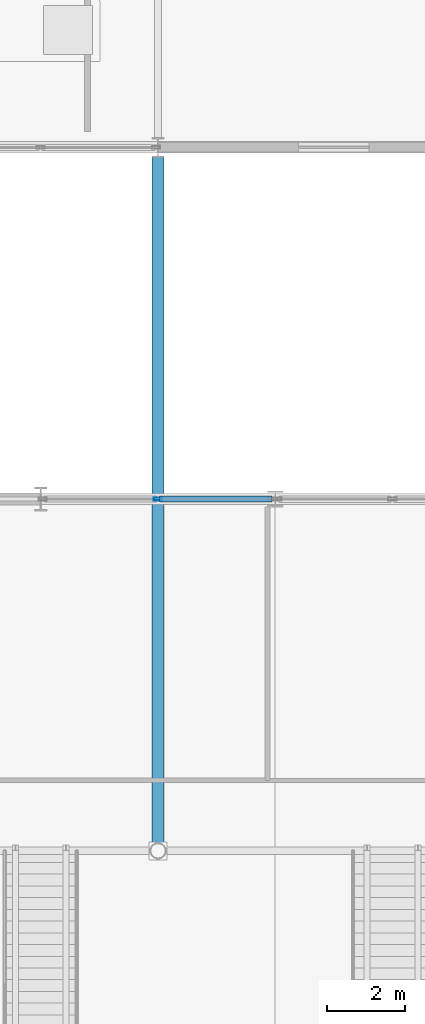
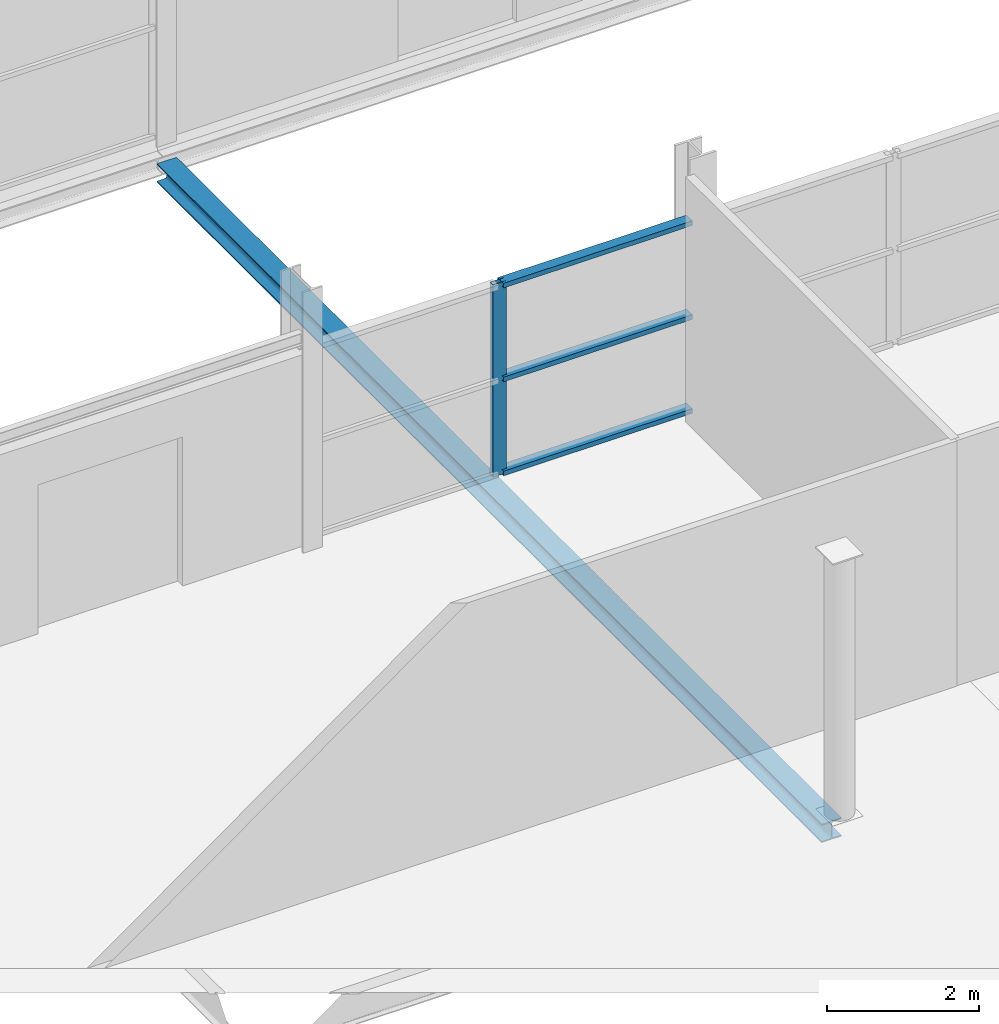
# One storey, part 43 of 140: 4 members, 1 beam, 1 element without a shape of its own.
"""IFC4 building model written with IfcOpenShell, lengths in metres."""

from ifc_helpers import new_model, si_unit, direction, frame, origin, origin_2d, place, context, subcontext, project, spatial, hollow_rectangle, i_section, extrude, material, layer, layer_set, material_profile, profile_set, type_object, element, aggregate, save


model = new_model("IFC4")

# Units and contexts
model_context = context("Model", 3, precision=1e-05, world=origin(), true_north=direction((0.0, 1.0)))
body_context = subcontext(model_context, "Body", "Model", "MODEL_VIEW")
ifc_project = project(units=[si_unit("LENGTHUNIT", "METRE"), si_unit("AREAUNIT", "SQUARE_METRE"), si_unit("VOLUMEUNIT", "CUBIC_METRE"), si_unit("PLANEANGLEUNIT", "RADIAN"), si_unit("MASSUNIT", "GRAM", prefix="KILO")], contexts=[model_context])

# Site, building, storey
site_placement = place(None, origin())
site = spatial("IfcSite", under=ifc_project, at=site_placement, CompositionType="ELEMENT")
building_placement = place(site_placement, origin())
building = spatial("IfcBuilding", under=site, at=building_placement, Name="Deido Ridge Mobility Hub", CompositionType="ELEMENT")
storey_placement = place(building_placement, origin())
storey = spatial("IfcBuildingStorey", under=building, at=storey_placement, Name="L00", CompositionType="ELEMENT", Elevation=0.0)

# Curtain wall, members
ifc_material_1 = material(Name="Anodised aluminium EN AW-6063 T6", Category="aluminium")
ifc_layer = layer(ifc_material_1, 0.132080078125, Name="Anodised aluminium EN AW-6063 T6")
ifc_layer_set = layer_set([ifc_layer], Name="Anodised aluminium EN AW-6063 T6")
curtain_wall_type = type_object("IfcCurtainWallType", Name="CW-GS-1", PredefinedType="USERDEFINED", material=ifc_layer_set)
curtain_wall_placement = place(storey_placement, origin())
curtain_wall = element("IfcCurtainWall", 1, at=curtain_wall_placement, inside=storey, type_object=curtain_wall_type, Name="Unitised curtain wall GS1", ObjectType="GLAZED SCREEN", PredefinedType="USERDEFINED")
ifc_material_profile_1 = material_profile(ifc_material_1, hollow_rectangle(XDim=0.074951171875, YDim=0.205078125, WallThickness=0.00390625, at=origin_2d()), Name="RHS 75x205x4")
ifc_profile_set_1 = profile_set([ifc_material_profile_1], Name="Anodised aluminium EN AW-6063 T6")
member_type_1 = type_object("IfcMemberType", Name="MEM-MUL-75X205", PredefinedType="MULLION", material=ifc_profile_set_1)
member_1_placement = place(storey_placement, frame((26.997802734375, 36.0, 0.0), z_axis=(0.0, 0.0, 1.0), x_axis=(0.0, 1.0, 0.0)))
member_1 = element("IfcMember", 2, at=member_1_placement, type_object=member_type_1, Name="GS1 mullion 2", PredefinedType="MULLION", context=body_context, shape_type="SweptSolid", body=[
    extrude(hollow_rectangle(XDim=0.074951171875, YDim=0.205078125, WallThickness=0.00390625, at=origin_2d()), origin(), (0.0, 0.0, 1.0), 3.10009765625),
])
ifc_material_profile_2 = material_profile(ifc_material_1, hollow_rectangle(XDim=0.155029296875, YDim=0.074951171875, WallThickness=0.00390625, at=origin_2d()), Name="RHS 155x75x4")
ifc_profile_set_2 = profile_set([ifc_material_profile_2], Name="Anodised aluminium EN AW-6063 T6")
member_type_2 = type_object("IfcMemberType", Name="MEM-TRN-155X75", PredefinedType="USERDEFINED", material=ifc_profile_set_2)
member_2_placement = place(storey_placement, frame((27.035400390625, 36.0, 0.03759765625), z_axis=(1.0, 0.0, 0.0), x_axis=(0.0, 1.0, 0.0)))
member_2 = element("IfcMember", 3, at=member_2_placement, type_object=member_type_2, Name="GS1 transom 2.1", ObjectType="TRANSOM", PredefinedType="USERDEFINED", context=body_context, shape_type="SweptSolid", body=[
    extrude(hollow_rectangle(XDim=0.155029296875, YDim=0.074951171875, WallThickness=0.00390625, at=origin_2d()), origin(), (0.0, 0.0, 1.0), 2.877685546875),
])
member_3_placement = place(storey_placement, frame((27.035400390625, 36.0, 1.550048828125), z_axis=(1.0, 0.0, 0.0), x_axis=(0.0, 1.0, 0.0)))
member_3 = element("IfcMember", 4, at=member_3_placement, type_object=member_type_2, Name="GS1 transom 2.2", ObjectType="TRANSOM", PredefinedType="USERDEFINED", context=body_context, shape_type="SweptSolid", body=[
    extrude(hollow_rectangle(XDim=0.155029296875, YDim=0.074951171875, WallThickness=0.00390625, at=origin_2d()), origin(), (0.0, 0.0, 1.0), 2.877685546875),
])
member_4_placement = place(storey_placement, frame((27.035400390625, 36.0, 3.0625), z_axis=(1.0, 0.0, 0.0), x_axis=(0.0, 1.0, 0.0)))
member_4 = element("IfcMember", 5, at=member_4_placement, type_object=member_type_2, Name="GS1 transom 2.3", ObjectType="TRANSOM", PredefinedType="USERDEFINED", context=body_context, shape_type="SweptSolid", body=[
    extrude(hollow_rectangle(XDim=0.155029296875, YDim=0.074951171875, WallThickness=0.00390625, at=origin_2d()), origin(), (0.0, 0.0, 1.0), 2.877685546875),
])
aggregate(curtain_wall, [member_1, member_2, member_3, member_4])

# Beam
ifc_material_2 = material(Name="Steel S355J2 EN 10025-2", Category="steel")
ifc_material_profile_3 = material_profile(ifc_material_2, i_section(OverallWidth=0.300048828125, OverallDepth=0.300048828125, WebThickness=0.010986328125, FlangeThickness=0.01904296875, FilletRadius=0.027099609375, at=origin_2d()), Name="HEB 300")
ifc_profile_set_3 = profile_set([ifc_material_profile_3], Name="Steel S355J2 EN 10025-2")
beam_type = type_object("IfcBeamType", Name="SPD-HEB300", PredefinedType="SPANDREL", material=ifc_profile_set_3)
beam_placement = place(storey_placement, frame((27.0, 27.203125, -0.409912109375), z_axis=(0.0, 1.0, 0.0), x_axis=(-1.0, 0.0, 0.0)))
element("IfcBeam", 6, at=beam_placement, inside=storey, type_object=beam_type, Name="Floor beam SP1", PredefinedType="SPANDREL", context=body_context, shape_type="SweptSolid", body=[
    extrude(i_section(OverallWidth=0.300048828125, OverallDepth=0.300048828125, WebThickness=0.010986328125, FlangeThickness=0.01904296875, FilletRadius=0.027099609375, at=origin_2d()), origin(), (0.0, 0.0, 1.0), 17.546875),
])

save(model, "model.ifc")
